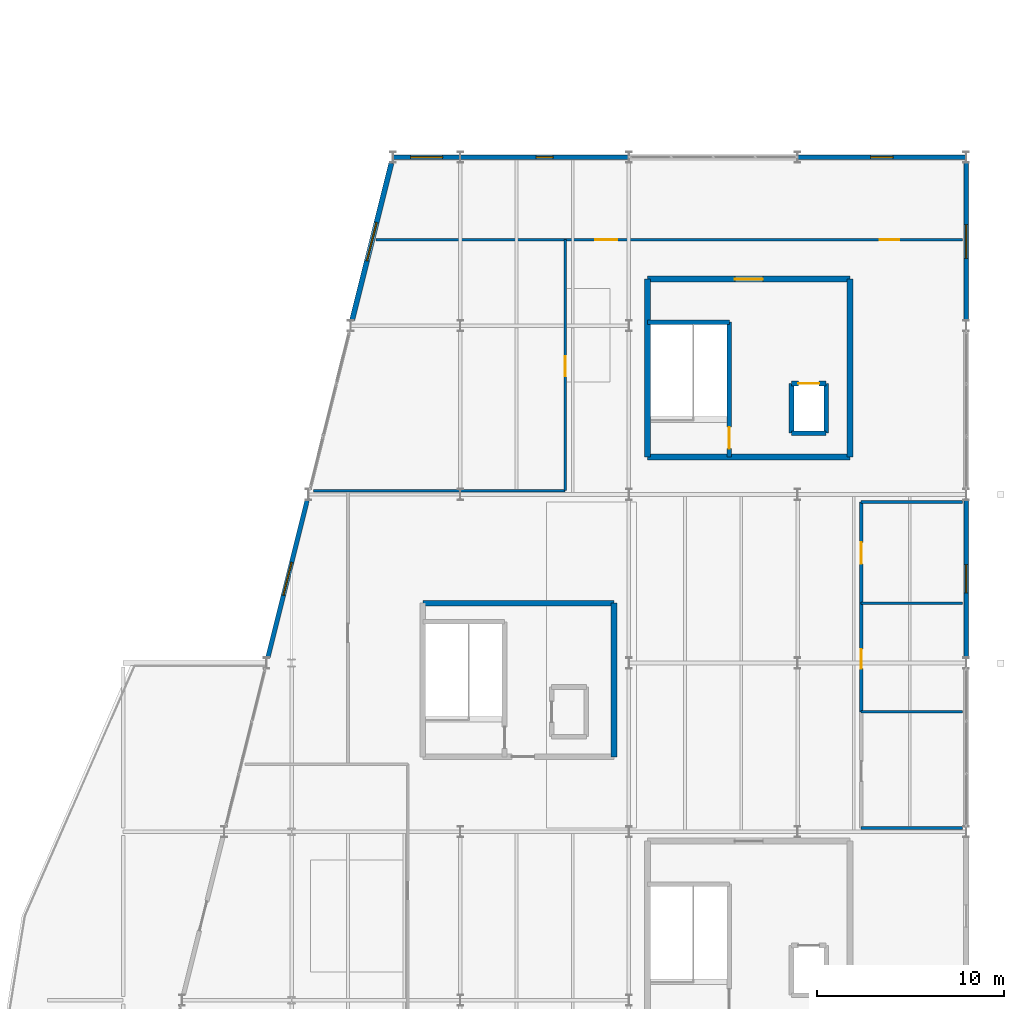
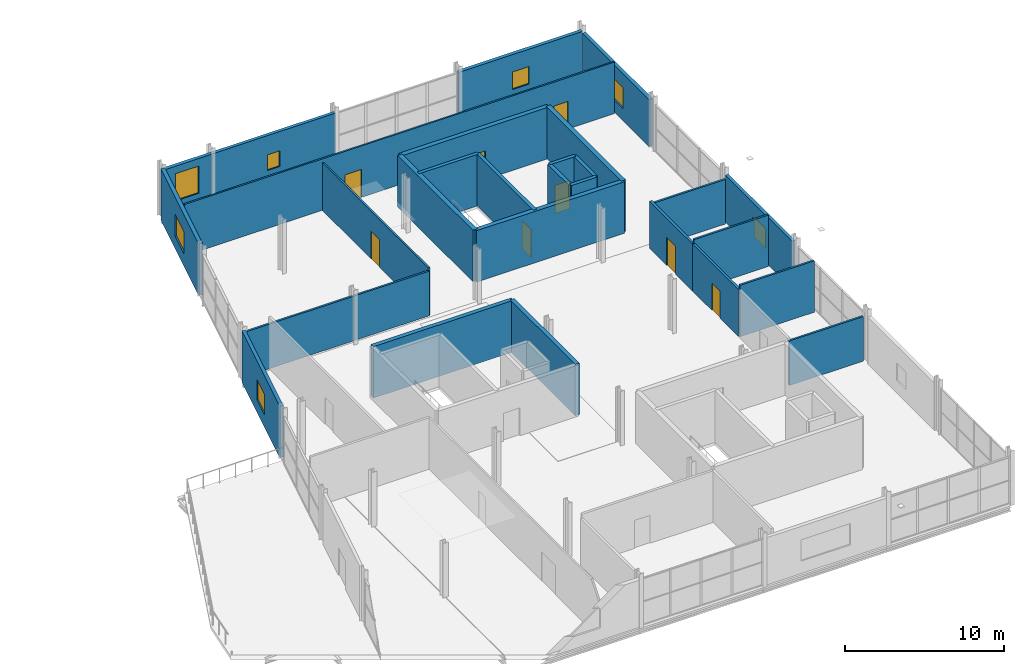
# One storey, part 42 of 44: 28 walls, 8 doors, 7 windows, 15 openings.
"""IFC4 building model written with IfcOpenShell, lengths in metres."""

from ifc_helpers import new_model, si_unit, direction, frame, frame_2d, origin, place, context, subcontext, project, spatial, rectangle, extrude, material, layer, layer_set, type_object, element, fill, save


model = new_model("IFC4")

# Units and contexts
model_context = context("Model", 3, precision=1e-05, world=origin(), true_north=direction((0.0, 1.0)))
body_context = subcontext(model_context, "Body", "Model", "MODEL_VIEW")
ifc_project = project(units=[si_unit("LENGTHUNIT", "METRE"), si_unit("AREAUNIT", "SQUARE_METRE"), si_unit("VOLUMEUNIT", "CUBIC_METRE"), si_unit("PLANEANGLEUNIT", "RADIAN"), si_unit("MASSUNIT", "GRAM", prefix="KILO")], contexts=[model_context])

# Site, building, storey
site_placement = place(None, origin())
site = spatial("IfcSite", under=ifc_project, at=site_placement, CompositionType="ELEMENT")
building_placement = place(site_placement, origin())
building = spatial("IfcBuilding", under=site, at=building_placement, Name="Deido Ridge Mobility Hub", CompositionType="ELEMENT")
storey_placement = place(building_placement, frame((0.0, 0.0, 25.199951171875)))
storey = spatial("IfcBuildingStorey", under=building, at=storey_placement, Name="L06", CompositionType="ELEMENT", Elevation=25.199951171875)

# Wall, opening, window
ifc_material_1 = material(Name="Powder-coated aluminium cladding EN AW-3003", Category="aluminium")
ifc_layer_1 = layer(ifc_material_1, 0.22509765625, Name="Powder-coated aluminium cladding EN AW-3003")
ifc_layer_set_1 = layer_set([ifc_layer_1], Name="Powder-coated aluminium cladding EN AW-3003")
wall_type_1 = type_object("IfcWallType", Name="WL-EXT-ALU-225", PredefinedType="STANDARD", material=ifc_layer_set_1)
wall_1_placement = place(storey_placement, frame((180.0, 27.300048828125, 0.0), z_axis=(0.0, 0.0, 1.0), x_axis=(0.0, 1.0, 0.0)))
wall_1 = element("IfcWall", 1, at=wall_1_placement, inside=storey, type_object=wall_type_1, Name="Exterior wall EW6", PredefinedType="STANDARD", context=body_context, shape_type="SweptSolid", body=[
    extrude(rectangle(XDim=8.39990234375, YDim=0.22509765625, at=frame_2d((4.199951171875, 0.0))), origin(), (0.0, 0.0, 1.0), 3.635009765625),
])
opening_1_placement = place(wall_1_placement, frame((3.449951171875, 0.0, 0.949951171875)))
opening_1 = element("IfcOpeningElement", 2, at=opening_1_placement, cuts=wall_1, Name="Opening W5", PredefinedType="OPENING", context=body_context, shape_type="SweptSolid", body=[
    extrude(rectangle(XDim=1.5, YDim=1.5, at=frame_2d((0.75, 0.75))), frame((0.0, 0.12255859375, 0.0), z_axis=(0.0, -1.0, 0.0), x_axis=(1.0, 0.0, 0.0)), (0.0, 0.0, 1.0), 0.2451171875),
])
ifc_material_2 = material(Name="Laminated solar-control low-E glass", Category="glass")
window_type_1 = type_object("IfcWindowType", Name="WN-ALU-1500X1500", PartitioningType="SINGLE_PANEL", PredefinedType="WINDOW", material=ifc_material_2)
window_1_placement = place(opening_1_placement, origin())
window_1 = element("IfcWindow", 3, at=window_1_placement, inside=storey, type_object=window_type_1, Name="Exterior window W5", OverallHeight=1.5, OverallWidth=1.5, PartitioningType="SINGLE_PANEL", PredefinedType="WINDOW", context=body_context, shape_type="SweptSolid", body=[
    extrude(rectangle(XDim=1.5, YDim=1.5, at=frame_2d((0.75, 0.75))), frame((0.0, 0.030029296875, 0.0), z_axis=(0.0, -1.0, 0.0), x_axis=(1.0, 0.0, 0.0)), (0.0, 0.0, 1.0), 0.06005859375),
])
fill(opening_1, window_1)

wall_2_placement = place(storey_placement, frame((153.0078125, 54.0, 0.0), z_axis=(0.0, 0.0, 1.0), x_axis=(1.0, 0.0, 0.0)))
wall_2 = element("IfcWall", 4, at=wall_2_placement, inside=storey, type_object=wall_type_1, Name="Exterior wall EW6", PredefinedType="STANDARD", context=body_context, shape_type="SweptSolid", body=[
    extrude(rectangle(XDim=8.984375, YDim=0.22509765625, at=frame_2d((4.4921875, 0.0))), origin(), (0.0, 0.0, 1.0), 3.635009765625),
])
opening_2_placement = place(wall_2_placement, frame((4.042236328125, 0.0, 0.949951171875)))
opening_2 = element("IfcOpeningElement", 5, at=opening_2_placement, cuts=wall_2, Name="Opening W1", PredefinedType="OPENING", context=body_context, shape_type="SweptSolid", body=[
    extrude(rectangle(XDim=0.89990234375, YDim=1.199951171875, at=frame_2d((0.449951171875, 0.60009765625))), frame((0.0, 0.12255859375, 0.0), z_axis=(0.0, -1.0, 0.0), x_axis=(1.0, 0.0, 0.0)), (0.0, 0.0, 1.0), 0.2451171875),
])
window_type_2 = type_object("IfcWindowType", Name="WN-ALU-900X1200", PartitioningType="SINGLE_PANEL", PredefinedType="WINDOW", material=ifc_material_2)
window_2_placement = place(opening_2_placement, origin())
window_2 = element("IfcWindow", 6, at=window_2_placement, inside=storey, type_object=window_type_2, Name="Exterior window W1", OverallHeight=1.199951171875, OverallWidth=0.89990234375, PartitioningType="SINGLE_PANEL", PredefinedType="WINDOW", context=body_context, shape_type="SweptSolid", body=[
    extrude(rectangle(XDim=0.89990234375, YDim=1.199951171875, at=frame_2d((0.449951171875, 0.60009765625))), frame((0.0, 0.030029296875, 0.0), z_axis=(0.0, -1.0, 0.0), x_axis=(1.0, 0.0, 0.0)), (0.0, 0.0, 1.0), 0.06005859375),
])
fill(opening_2, window_2)

ifc_material_3 = material(Name="Concrete blockwork masonry", Category="masonry")
ifc_layer_2 = layer(ifc_material_3, 0.2451171875, Name="Concrete blockwork masonry")
ifc_layer_set_2 = layer_set([ifc_layer_2], Name="Concrete blockwork masonry")
wall_type_2 = type_object("IfcWallType", Name="WL-EXT-BLK-245", PredefinedType="STANDARD", material=ifc_layer_set_2)
wall_3_placement = place(storey_placement, frame((149.40771484375, 54.0, 0.0), z_axis=(0.0, 0.0, 1.0), x_axis=(1.0, 0.0, 0.0)))
wall_3 = element("IfcWall", 7, at=wall_3_placement, inside=storey, type_object=wall_type_2, Name="Exterior wall EW4", PredefinedType="STANDARD", context=body_context, shape_type="SweptSolid", body=[
    extrude(rectangle(XDim=3.58447265625, YDim=0.2451171875, at=frame_2d((1.792236328125, 0.0))), origin(), (0.0, 0.0, 1.0), 3.635009765625),
])
opening_3_placement = place(wall_3_placement, frame((0.9423828125, 0.0, 0.949951171875)))
opening_3 = element("IfcOpeningElement", 8, at=opening_3_placement, cuts=wall_3, Name="Opening W22", PredefinedType="OPENING", context=body_context, shape_type="SweptSolid", body=[
    extrude(rectangle(XDim=1.699951171875, YDim=2.10009765625, at=frame_2d((0.85009765625, 1.050048828125))), frame((0.0, 0.132568359375, 0.0), z_axis=(0.0, -1.0, 0.0), x_axis=(1.0, 0.0, 0.0)), (0.0, 0.0, 1.0), 0.26513671875),
])
window_type_3 = type_object("IfcWindowType", Name="WN-ALU-1700X2100", PartitioningType="SINGLE_PANEL", PredefinedType="WINDOW", material=ifc_material_2)
window_3_placement = place(opening_3_placement, origin())
window_3 = element("IfcWindow", 9, at=window_3_placement, inside=storey, type_object=window_type_3, Name="Exterior window W22", OverallHeight=2.10009765625, OverallWidth=1.699951171875, PartitioningType="SINGLE_PANEL", PredefinedType="WINDOW", context=body_context, shape_type="SweptSolid", body=[
    extrude(rectangle(XDim=1.699951171875, YDim=2.10009765625, at=frame_2d((0.85009765625, 1.050048828125))), frame((0.0, 0.030029296875, 0.0), z_axis=(0.0, -1.0, 0.0), x_axis=(1.0, 0.0, 0.0)), (0.0, 0.0, 1.0), 0.06005859375),
])
fill(opening_3, window_3)

wall_4_placement = place(storey_placement, frame((142.7294921875, 27.317626953125, 0.0), z_axis=(0.0, 0.0, 1.0), x_axis=(0.24252230007, 0.97014583129, 0.0)))
wall_4 = element("IfcWall", 10, at=wall_4_placement, inside=storey, type_object=wall_type_2, Name="Exterior wall EW4", PredefinedType="STANDARD", context=body_context, shape_type="SweptSolid", body=[
    extrude(rectangle(XDim=8.6220703125, YDim=0.2451171875, at=frame_2d((4.31103515625, 0.0))), origin(), (0.0, 0.0, 1.0), 3.9599609375),
])
opening_4_placement = place(wall_4_placement, frame((3.4111328125, 0.0, 0.949951171875)))
opening_4 = element("IfcOpeningElement", 11, at=opening_4_placement, cuts=wall_4, Name="Opening W7", PredefinedType="OPENING", context=body_context, shape_type="SweptSolid", body=[
    extrude(rectangle(XDim=1.800048828125, YDim=1.60009765625, at=frame_2d((0.89990234375, 0.800048828125))), frame((0.0, 0.132568359375, 0.0), z_axis=(0.0, -1.0, 0.0), x_axis=(1.0, 0.0, 0.0)), (0.0, 0.0, 1.0), 0.26513671875),
])
window_type_4 = type_object("IfcWindowType", Name="WN-ALU-1800X1600", PartitioningType="DOUBLE_PANEL_VERTICAL", PredefinedType="WINDOW", material=ifc_material_2)
window_4_placement = place(opening_4_placement, origin())
window_4 = element("IfcWindow", 12, at=window_4_placement, inside=storey, type_object=window_type_4, Name="Exterior window W7", OverallHeight=1.60009765625, OverallWidth=1.800048828125, PartitioningType="SINGLE_PANEL", PredefinedType="WINDOW", context=body_context, shape_type="SweptSolid", body=[
    extrude(rectangle(XDim=1.800048828125, YDim=1.60009765625, at=frame_2d((0.89990234375, 0.800048828125))), frame((0.0, 0.030029296875, 0.0), z_axis=(0.0, -1.0, 0.0), x_axis=(1.0, 0.0, 0.0)), (0.0, 0.0, 1.0), 0.06005859375),
])
fill(opening_4, window_4)

ifc_layer_3 = layer(ifc_material_3, 0.2548828125, Name="Concrete blockwork masonry")
ifc_layer_set_3 = layer_set([ifc_layer_3], Name="Concrete blockwork masonry")
wall_type_3 = type_object("IfcWallType", Name="WL-PLG-BLK-255", PredefinedType="POLYGONAL", material=ifc_layer_set_3)
wall_5_placement = place(storey_placement, frame((180.0, 45.300048828125, 0.0), z_axis=(0.0, 0.0, 1.0), x_axis=(0.0, 1.0, 0.0)))
wall_5 = element("IfcWall", 13, at=wall_5_placement, inside=storey, type_object=wall_type_3, Name="Exterior wall PGW2", PredefinedType="POLYGONAL", context=body_context, shape_type="SweptSolid", body=[
    extrude(rectangle(XDim=8.39990234375, YDim=0.2548828125, at=frame_2d((4.199951171875, 0.0))), origin(), (0.0, 0.0, 1.0), 3.635009765625),
])
opening_5_placement = place(wall_5_placement, frame((3.300048828125, 0.0, 0.949951171875)))
opening_5 = element("IfcOpeningElement", 14, at=opening_5_placement, cuts=wall_5, Name="Opening W7", PredefinedType="OPENING", context=body_context, shape_type="SweptSolid", body=[
    extrude(rectangle(XDim=1.800048828125, YDim=1.60009765625, at=frame_2d((0.89990234375, 0.800048828125))), frame((0.0, 0.137451171875, 0.0), z_axis=(0.0, -1.0, 0.0), x_axis=(1.0, 0.0, 0.0)), (0.0, 0.0, 1.0), 0.27490234375),
])
window_5_placement = place(opening_5_placement, origin())
window_5 = element("IfcWindow", 15, at=window_5_placement, inside=storey, type_object=window_type_4, Name="Exterior window W7", OverallHeight=1.60009765625, OverallWidth=1.800048828125, PartitioningType="SINGLE_PANEL", PredefinedType="WINDOW", context=body_context, shape_type="SweptSolid", body=[
    extrude(rectangle(XDim=1.800048828125, YDim=1.60009765625, at=frame_2d((0.89990234375, 0.800048828125))), frame((0.0, 0.030029296875, 0.0), z_axis=(0.0, -1.0, 0.0), x_axis=(1.0, 0.0, 0.0)), (0.0, 0.0, 1.0), 0.06005859375),
])
fill(opening_5, window_5)

wall_6_placement = place(storey_placement, frame((171.0078125, 54.0, 0.0), z_axis=(0.0, 0.0, 1.0), x_axis=(1.0, 0.0, 0.0)))
wall_6 = element("IfcWall", 16, at=wall_6_placement, inside=storey, type_object=wall_type_3, Name="Exterior wall PGW2", PredefinedType="POLYGONAL", context=body_context, shape_type="SweptSolid", body=[
    extrude(rectangle(XDim=8.984375, YDim=0.2548828125, at=frame_2d((4.4921875, 0.0))), origin(), (0.0, 0.0, 1.0), 3.635009765625),
])
opening_6_placement = place(wall_6_placement, frame((3.892333984375, 0.0, 0.949951171875)))
opening_6 = element("IfcOpeningElement", 17, at=opening_6_placement, cuts=wall_6, Name="Opening W3", PredefinedType="OPENING", context=body_context, shape_type="SweptSolid", body=[
    extrude(rectangle(XDim=1.199951171875, YDim=1.35009765625, at=frame_2d((0.60009765625, 0.675048828125))), frame((0.0, 0.137451171875, 0.0), z_axis=(0.0, -1.0, 0.0), x_axis=(1.0, 0.0, 0.0)), (0.0, 0.0, 1.0), 0.27490234375),
])
window_type_5 = type_object("IfcWindowType", Name="WN-ALU-1200X1350", PartitioningType="SINGLE_PANEL", PredefinedType="WINDOW", material=ifc_material_2)
window_6_placement = place(opening_6_placement, origin())
window_6 = element("IfcWindow", 18, at=window_6_placement, inside=storey, type_object=window_type_5, Name="Exterior window W3", OverallHeight=1.35009765625, OverallWidth=1.199951171875, PartitioningType="SINGLE_PANEL", PredefinedType="WINDOW", context=body_context, shape_type="SweptSolid", body=[
    extrude(rectangle(XDim=1.199951171875, YDim=1.35009765625, at=frame_2d((0.60009765625, 0.675048828125))), frame((0.0, 0.030029296875, 0.0), z_axis=(0.0, -1.0, 0.0), x_axis=(1.0, 0.0, 0.0)), (0.0, 0.0, 1.0), 0.06005859375),
])
fill(opening_6, window_6)

ifc_material_4 = material(Name="Fired clay brick masonry", Category="masonry")
ifc_layer_4 = layer(ifc_material_4, 0.27490234375, Name="Fired clay brick masonry")
ifc_layer_set_4 = layer_set([ifc_layer_4], Name="Fired clay brick masonry")
wall_type_4 = type_object("IfcWallType", Name="WL-PLG-BRK-275", PredefinedType="POLYGONAL", material=ifc_layer_set_4)
wall_7_placement = place(storey_placement, frame((147.2294921875, 45.317626953125, 0.0), z_axis=(0.0, 0.0, 1.0), x_axis=(0.24252230007, 0.97014583129, 0.0)))
wall_7 = element("IfcWall", 19, at=wall_7_placement, inside=storey, type_object=wall_type_4, Name="Exterior wall PGW1", PredefinedType="POLYGONAL", context=body_context, shape_type="SweptSolid", body=[
    extrude(rectangle(XDim=8.6220703125, YDim=0.27490234375, at=frame_2d((4.31103515625, 0.0))), origin(), (0.0, 0.0, 1.0), 3.9599609375),
])
opening_7_placement = place(wall_7_placement, frame((3.260986328125, 0.0, 0.949951171875)))
opening_7 = element("IfcOpeningElement", 20, at=opening_7_placement, cuts=wall_7, Name="Opening W9", PredefinedType="OPENING", context=body_context, shape_type="SweptSolid", body=[
    extrude(rectangle(XDim=2.10009765625, YDim=1.699951171875, at=frame_2d((1.050048828125, 0.85009765625))), frame((0.0, 0.1474609375, 0.0), z_axis=(0.0, -1.0, 0.0), x_axis=(1.0, 0.0, 0.0)), (0.0, 0.0, 1.0), 0.294921875),
])
window_type_6 = type_object("IfcWindowType", Name="WN-ALU-2100X1700", PartitioningType="DOUBLE_PANEL_VERTICAL", PredefinedType="WINDOW", material=ifc_material_2)
window_7_placement = place(opening_7_placement, origin())
window_7 = element("IfcWindow", 21, at=window_7_placement, inside=storey, type_object=window_type_6, Name="Exterior window W9", OverallHeight=1.699951171875, OverallWidth=2.10009765625, PartitioningType="SINGLE_PANEL", PredefinedType="WINDOW", context=body_context, shape_type="SweptSolid", body=[
    extrude(rectangle(XDim=2.10009765625, YDim=1.699951171875, at=frame_2d((1.050048828125, 0.85009765625))), frame((0.0, 0.030029296875, 0.0), z_axis=(0.0, -1.0, 0.0), x_axis=(1.0, 0.0, 0.0)), (0.0, 0.0, 1.0), 0.06005859375),
])
fill(opening_7, window_7)

# Wall, openings, doors
ifc_layer_5 = layer(ifc_material_3, 0.1201171875, Name="Concrete blockwork masonry")
ifc_layer_set_5 = layer_set([ifc_layer_5], Name="Concrete blockwork masonry")
wall_type_5 = type_object("IfcWallType", Name="WL-PRT-BLK-120", PredefinedType="PARTITIONING", material=ifc_layer_set_5)
wall_8_placement = place(storey_placement, frame((148.5, 49.60009765625, 0.0), z_axis=(0.0, 0.0, 1.0), x_axis=(1.0, 0.0, 0.0)))
wall_8 = element("IfcWall", 22, at=wall_8_placement, inside=storey, type_object=wall_type_5, Name="V6 north hall divider (L06)", PredefinedType="PARTITIONING", context=body_context, shape_type="SweptSolid", body=[
    extrude(rectangle(XDim=31.300048828125, YDim=0.1201171875, at=frame_2d((15.64990234375, 0.0))), origin(), (0.0, 0.0, 1.0), 3.9599609375),
])
opening_8_placement = place(wall_8_placement, frame((11.699951171875, 0.0, 0.0)))
opening_8 = element("IfcOpeningElement", 23, at=opening_8_placement, cuts=wall_8, Name="Opening DR-L06-197", PredefinedType="OPENING", context=body_context, shape_type="SweptSolid", body=[
    extrude(rectangle(XDim=1.179931640625, YDim=2.14990234375, at=frame_2d((0.58984375, 1.074951171875))), frame((0.0, 0.070068359375, 0.0), z_axis=(0.0, -1.0, 0.0), x_axis=(1.0, 0.0, 0.0)), (0.0, 0.0, 1.0), 0.14013671875),
])
opening_9_placement = place(wall_8_placement, frame((26.89990234375, 0.0, 0.0)))
opening_9 = element("IfcOpeningElement", 24, at=opening_9_placement, cuts=wall_8, Name="Opening DR-L06-198", PredefinedType="OPENING", context=body_context, shape_type="SweptSolid", body=[
    extrude(rectangle(XDim=1.02001953125, YDim=2.1201171875, at=frame_2d((0.510009765625, 1.06005859375))), frame((0.0, 0.070068359375, 0.0), z_axis=(0.0, -1.0, 0.0), x_axis=(1.0, 0.0, 0.0)), (0.0, 0.0, 1.0), 0.14013671875),
])
ifc_material_5 = material(Name="Treated tropical hardwood timber D40", Category="wood")
door_type_1 = type_object("IfcDoorType", Name="DR-INT-1020X2120", OperationType="NOTDEFINED", PredefinedType="DOOR", material=ifc_material_5)
door_1_placement = place(opening_9_placement, origin())
door_1 = element("IfcDoor", 25, at=door_1_placement, inside=storey, type_object=door_type_1, Name="DR-I0198 Hub Archive east corridor door (L06)", OperationType="SINGLE_SWING_LEFT", OverallHeight=2.1201171875, OverallWidth=1.02001953125, PredefinedType="DOOR", context=body_context, shape_type="SweptSolid", body=[
    extrude(rectangle(XDim=1.02001953125, YDim=2.1201171875, at=frame_2d((0.510009765625, 1.06005859375))), frame((0.0, 0.02490234375, 0.0), z_axis=(0.0, -1.0, 0.0), x_axis=(1.0, 0.0, 0.0)), (0.0, 0.0, 1.0), 0.050048828125),
])
fill(opening_9, door_1)
door_type_2 = type_object("IfcDoorType", Name="DR-INT-1180X2150", OperationType="NOTDEFINED", PredefinedType="DOOR", material=ifc_material_5)
door_2_placement = place(opening_8_placement, origin())
door_2 = element("IfcDoor", 26, at=door_2_placement, inside=storey, type_object=door_type_2, Name="DR-I0197 V6 north hall door (L06)", OperationType="SINGLE_SWING_RIGHT", OverallHeight=2.14990234375, OverallWidth=1.179931640625, PredefinedType="DOOR", context=body_context, shape_type="SweptSolid", body=[
    extrude(rectangle(XDim=1.179931640625, YDim=2.14990234375, at=frame_2d((0.58984375, 1.074951171875))), frame((0.0, 0.02490234375, 0.0), z_axis=(0.0, -1.0, 0.0), x_axis=(1.0, 0.0, 0.0)), (0.0, 0.0, 1.0), 0.050048828125),
])
fill(opening_8, door_2)

# Wall, opening, door
ifc_layer_6 = layer(ifc_material_3, 0.1298828125, Name="Concrete blockwork masonry")
ifc_layer_set_6 = layer_set([ifc_layer_6], Name="Concrete blockwork masonry")
wall_type_6 = type_object("IfcWallType", Name="WL-PRT-BLK-130", PredefinedType="PARTITIONING", material=ifc_layer_set_6)
wall_9_placement = place(storey_placement, frame((158.60009765625, 36.199951171875, 0.0), z_axis=(0.0, 0.0, 1.0), x_axis=(0.0, 1.0, 0.0)))
wall_9 = element("IfcWall", 27, at=wall_9_placement, inside=storey, type_object=wall_type_6, Name="V6 north-west room wall (L06)", PredefinedType="PARTITIONING", context=body_context, shape_type="SweptSolid", body=[
    extrude(rectangle(XDim=13.400146484375, YDim=0.1298828125, at=frame_2d((6.7001953125, 0.0))), origin(), (0.0, 0.0, 1.0), 3.6650390625),
])
opening_10_placement = place(wall_9_placement, frame((6.10009765625, 0.0, 0.0)))
opening_10 = element("IfcOpeningElement", 28, at=opening_10_placement, cuts=wall_9, Name="Opening DR-L06-196", PredefinedType="OPENING", context=body_context, shape_type="SweptSolid", body=[
    extrude(rectangle(XDim=1.080078125, YDim=2.1201171875, at=frame_2d((0.5400390625, 1.06005859375))), frame((0.0, 0.074951171875, 0.0), z_axis=(0.0, -1.0, 0.0), x_axis=(1.0, 0.0, 0.0)), (0.0, 0.0, 1.0), 0.14990234375),
])
door_type_3 = type_object("IfcDoorType", Name="DR-INT-1080X2120", OperationType="NOTDEFINED", PredefinedType="DOOR", material=ifc_material_5)
door_3_placement = place(opening_10_placement, origin())
door_3 = element("IfcDoor", 29, at=door_3_placement, inside=storey, type_object=door_type_3, Name="DR-I0196 V6 north-west room door (L06)", OperationType="SINGLE_SWING_LEFT", OverallHeight=2.1201171875, OverallWidth=1.080078125, PredefinedType="DOOR", context=body_context, shape_type="SweptSolid", body=[
    extrude(rectangle(XDim=1.080078125, YDim=2.1201171875, at=frame_2d((0.5400390625, 1.06005859375))), frame((0.0, 0.02490234375, 0.0), z_axis=(0.0, -1.0, 0.0), x_axis=(1.0, 0.0, 0.0)), (0.0, 0.0, 1.0), 0.050048828125),
])
fill(opening_10, door_3)

# Walls
ifc_layer_7 = layer(ifc_material_3, 0.139892578125, Name="Concrete blockwork masonry")
ifc_layer_set_7 = layer_set([ifc_layer_7], Name="Concrete blockwork masonry")
wall_type_7 = type_object("IfcWallType", Name="WL-PRT-BLK-140", PredefinedType="PARTITIONING", material=ifc_layer_set_7)
wall_10_placement = place(storey_placement, frame((174.39990234375, 18.199951171875, 0.0), z_axis=(0.0, 0.0, 1.0), x_axis=(1.0, 0.0, 0.0)))
element("IfcWall", 30, at=wall_10_placement, inside=storey, type_object=wall_type_7, Name="WC cross wall (L06)", PredefinedType="PARTITIONING", context=body_context, shape_type="SweptSolid", body=[
    extrude(rectangle(XDim=5.400146484375, YDim=0.139892578125, at=frame_2d((2.7001953125, 0.0))), origin(), (0.0, 0.0, 1.0), 3.43505859375),
])
for number, where, z_axis, x_axis, name in (
    (31, (174.39990234375, 24.39990234375, 0.0), (0.0, 0.0, 1.0), (1.0, 0.0, 0.0), "WC cross wall (L06)"),
    (32, (174.39990234375, 30.199951171875, 0.0), (0.0, 0.0, 1.0), (1.0, 0.0, 0.0), "WC cross wall (L06)"),
):
    element("IfcWall", number, at=place(storey_placement, frame(where, z_axis=z_axis, x_axis=x_axis)), inside=storey, type_object=wall_type_7, Name=name, PredefinedType="PARTITIONING", context=body_context, shape_type="SweptSolid", body=[
        extrude(rectangle(XDim=5.400146484375, YDim=0.139892578125, at=frame_2d((2.7001953125, 0.0))), origin(), (0.0, 0.0, 1.0), 3.9599609375),
    ])
wall_11_placement = place(storey_placement, frame((174.39990234375, 35.60009765625, 0.0), z_axis=(0.0, 0.0, 1.0), x_axis=(1.0, 0.0, 0.0)))
element("IfcWall", 33, at=wall_11_placement, inside=storey, type_object=wall_type_7, Name="WC cross wall (L06)", PredefinedType="PARTITIONING", context=body_context, shape_type="SweptSolid", body=[
    extrude(rectangle(XDim=5.400146484375, YDim=0.139892578125, at=frame_2d((2.7001953125, 0.0))), origin(), (0.0, 0.0, 1.0), 3.43505859375),
])
wall_12_placement = place(storey_placement, frame((145.14990234375, 36.199951171875, 0.0), z_axis=(0.0, 0.0, 1.0), x_axis=(1.0, 0.0, 0.0)))
element("IfcWall", 34, at=wall_12_placement, inside=storey, type_object=wall_type_7, Name="V6 central-north cross wall (L06)", PredefinedType="PARTITIONING", context=body_context, shape_type="SweptSolid", body=[
    extrude(rectangle(XDim=13.4501953125, YDim=0.139892578125, at=frame_2d((6.72509765625, 0.0))), origin(), (0.0, 0.0, 1.0), 3.43505859375),
])

# Wall, opening, door
ifc_layer_8 = layer(ifc_material_3, 0.169921875, Name="Concrete blockwork masonry")
ifc_layer_set_8 = layer_set([ifc_layer_8], Name="Concrete blockwork masonry")
wall_type_8 = type_object("IfcWallType", Name="WL-PRT-BLK-170", PredefinedType="PARTITIONING", material=ifc_layer_set_8)
wall_13_placement = place(storey_placement, frame((174.39990234375, 24.39990234375, 0.0), z_axis=(0.0, 0.0, 1.0), x_axis=(0.0, 1.0, 0.0)))
wall_13 = element("IfcWall", 35, at=wall_13_placement, inside=storey, type_object=wall_type_8, Name="Female WC west wall (L06)", PredefinedType="PARTITIONING", context=body_context, shape_type="SweptSolid", body=[
    extrude(rectangle(XDim=5.800048828125, YDim=0.169921875, at=frame_2d((2.89990234375, 0.0))), origin(), (0.0, 0.0, 1.0), 3.635009765625),
])
opening_11_placement = place(wall_13_placement, frame((2.300048828125, 0.0, 0.0)))
opening_11 = element("IfcOpeningElement", 36, at=opening_11_placement, cuts=wall_13, Name="Opening DR-L06-191", PredefinedType="OPENING", context=body_context, shape_type="SweptSolid", body=[
    extrude(rectangle(XDim=1.050048828125, YDim=2.10009765625, at=frame_2d((0.52490234375, 1.050048828125))), frame((0.0, 0.094970703125, 0.0), z_axis=(0.0, -1.0, 0.0), x_axis=(1.0, 0.0, 0.0)), (0.0, 0.0, 1.0), 0.18994140625),
])
ifc_material_6 = material(Name="Galvanised steel work", Category="steel")
door_type_4 = type_object("IfcDoorType", Name="DR-FD60-1050X2100", OperationType="NOTDEFINED", PredefinedType="DOOR", material=ifc_material_6)
door_4_placement = place(opening_11_placement, origin())
door_4 = element("IfcDoor", 37, at=door_4_placement, inside=storey, type_object=door_type_4, Name="DR-I0191 Female WC door (L06)", OperationType="SINGLE_SWING_LEFT", OverallHeight=2.10009765625, OverallWidth=1.050048828125, PredefinedType="DOOR", context=body_context, shape_type="SweptSolid", body=[
    extrude(rectangle(XDim=1.050048828125, YDim=2.10009765625, at=frame_2d((0.52490234375, 1.050048828125))), frame((0.0, 0.02490234375, 0.0), z_axis=(0.0, -1.0, 0.0), x_axis=(1.0, 0.0, 0.0)), (0.0, 0.0, 1.0), 0.050048828125),
])
fill(opening_11, door_4)

ifc_layer_9 = layer(ifc_material_3, 0.179931640625, Name="Concrete blockwork masonry")
ifc_layer_set_9 = layer_set([ifc_layer_9], Name="Concrete blockwork masonry")
wall_type_9 = type_object("IfcWallType", Name="WL-PRT-BLK-180", PredefinedType="PARTITIONING", material=ifc_layer_set_9)
wall_14_placement = place(storey_placement, frame((174.39990234375, 30.199951171875, 0.0), z_axis=(0.0, 0.0, 1.0), x_axis=(0.0, 1.0, 0.0)))
wall_14 = element("IfcWall", 38, at=wall_14_placement, inside=storey, type_object=wall_type_9, Name="Accessible WC west wall (L06)", PredefinedType="PARTITIONING", context=body_context, shape_type="SweptSolid", body=[
    extrude(rectangle(XDim=5.400146484375, YDim=0.179931640625, at=frame_2d((2.7001953125, 0.0))), origin(), (0.0, 0.0, 1.0), 3.635009765625),
])
opening_12_placement = place(wall_14_placement, frame((2.10009765625, 0.0, 0.0)))
opening_12 = element("IfcOpeningElement", 39, at=opening_12_placement, cuts=wall_14, Name="Opening DR-L06-192", PredefinedType="OPENING", context=body_context, shape_type="SweptSolid", body=[
    extrude(rectangle(XDim=1.14990234375, YDim=2.14990234375, at=frame_2d((0.574951171875, 1.074951171875))), frame((0.0, 0.10009765625, 0.0), z_axis=(0.0, -1.0, 0.0), x_axis=(1.0, 0.0, 0.0)), (0.0, 0.0, 1.0), 0.199951171875),
])
door_type_5 = type_object("IfcDoorType", Name="DR-FD60-1150X2150", OperationType="NOTDEFINED", PredefinedType="DOOR", material=ifc_material_6)
door_5_placement = place(opening_12_placement, origin())
door_5 = element("IfcDoor", 40, at=door_5_placement, inside=storey, type_object=door_type_5, Name="DR-I0192 Accessible WC door (L06)", OperationType="SINGLE_SWING_RIGHT", OverallHeight=2.14990234375, OverallWidth=1.14990234375, PredefinedType="DOOR", context=body_context, shape_type="SweptSolid", body=[
    extrude(rectangle(XDim=1.14990234375, YDim=2.14990234375, at=frame_2d((0.574951171875, 1.074951171875))), frame((0.0, 0.02490234375, 0.0), z_axis=(0.0, -1.0, 0.0), x_axis=(1.0, 0.0, 0.0)), (0.0, 0.0, 1.0), 0.050048828125),
])
fill(opening_12, door_5)

ifc_material_7 = material(Name="Concrete C40/50", Category="concrete")
ifc_layer_10 = layer(ifc_material_7, 0.25, Name="Concrete C40/50")
ifc_layer_set_10 = layer_set([ifc_layer_10], Name="Concrete C40/50")
wall_type_10 = type_object("IfcWallType", Name="WL-SHR-RC-250", PredefinedType="SHEAR", material=ifc_layer_set_10)
wall_15_placement = place(storey_placement, frame((167.360107421875, 38.0, 0.0), z_axis=(0.0, 0.0, 1.0), x_axis=(0.0, 1.0, 0.0)))
wall_15 = element("IfcWall", 41, at=wall_15_placement, inside=storey, type_object=wall_type_10, Name="C2 stair shaft east wall", PredefinedType="SHEAR", context=body_context, shape_type="SweptSolid", body=[
    extrude(rectangle(XDim=7.199951171875, YDim=0.25, at=frame_2d((3.60009765625, 0.0))), origin(), (0.0, 0.0, 1.0), 3.9599609375),
])
opening_13_placement = place(wall_15_placement, frame((0.449951171875, 0.0, 0.0)))
opening_13 = element("IfcOpeningElement", 42, at=opening_13_placement, cuts=wall_15, Name="Opening FD-C2-L06", PredefinedType="OPENING", context=body_context, shape_type="SweptSolid", body=[
    extrude(rectangle(XDim=1.14990234375, YDim=2.14990234375, at=frame_2d((0.574951171875, 1.074951171875))), frame((0.0, 0.135009765625, 0.0), z_axis=(0.0, -1.0, 0.0), x_axis=(1.0, 0.0, 0.0)), (0.0, 0.0, 1.0), 0.27001953125),
])
door_6_placement = place(opening_13_placement, origin())
door_6 = element("IfcDoor", 43, at=door_6_placement, inside=storey, type_object=door_type_5, Name="DR-I0046 C2 protected stair door (L06)", OperationType="SINGLE_SWING_RIGHT", OverallHeight=2.14990234375, OverallWidth=1.14990234375, PredefinedType="DOOR", context=body_context, shape_type="SweptSolid", body=[
    extrude(rectangle(XDim=1.14990234375, YDim=2.14990234375, at=frame_2d((0.574951171875, 1.074951171875))), frame((0.0, 0.02490234375, 0.0), z_axis=(0.0, -1.0, 0.0), x_axis=(1.0, 0.0, 0.0)), (0.0, 0.0, 1.0), 0.050048828125),
])
fill(opening_13, door_6)

# Walls
wall_16_placement = place(storey_placement, frame((163.0, 45.199951171875, 0.0), z_axis=(0.0, 0.0, 1.0), x_axis=(1.0, 0.0, 0.0)))
element("IfcWall", 44, at=wall_16_placement, inside=storey, type_object=wall_type_10, Name="C2 stair shaft north wall", PredefinedType="SHEAR", context=body_context, shape_type="SweptSolid", body=[
    extrude(rectangle(XDim=4.360107421875, YDim=0.25, at=frame_2d((2.18017578125, 0.0))), origin(), (0.0, 0.0, 1.0), 3.9599609375),
])
wall_17_placement = place(storey_placement, frame((170.675048828125, 39.27490234375, 0.0), z_axis=(0.0, 0.0, 1.0), x_axis=(1.0, 0.0, 0.0)))
element("IfcWall", 45, at=wall_17_placement, inside=storey, type_object=wall_type_10, Name="Lift FL2 rear shaft wall", PredefinedType="SHEAR", context=body_context, shape_type="SweptSolid", body=[
    extrude(rectangle(XDim=1.849853515625, YDim=0.25, at=frame_2d((0.9248046875, 0.0))), origin(), (0.0, 0.0, 1.0), 3.9599609375),
])
for number, where, z_axis, x_axis, name in (
    (46, (170.675048828125, 39.27490234375, 0.0), (0.0, 0.0, 1.0), (0.0, 1.0, 0.0), "Lift FL2 west shaft wall"),
    (47, (172.52490234375, 39.27490234375, 0.0), (0.0, 0.0, 1.0), (0.0, 1.0, 0.0), "Lift FL2 east shaft wall"),
):
    element("IfcWall", number, at=place(storey_placement, frame(where, z_axis=z_axis, x_axis=x_axis)), inside=storey, type_object=wall_type_10, Name=name, PredefinedType="SHEAR", context=body_context, shape_type="SweptSolid", body=[
        extrude(rectangle(XDim=2.650146484375, YDim=0.25, at=frame_2d((1.3251953125, 0.0))), origin(), (0.0, 0.0, 1.0), 3.9599609375),
    ])

# Wall, opening, door
wall_18_placement = place(storey_placement, frame((170.675048828125, 41.925048828125, 0.0), z_axis=(0.0, 0.0, 1.0), x_axis=(1.0, 0.0, 0.0)))
wall_18 = element("IfcWall", 48, at=wall_18_placement, inside=storey, type_object=wall_type_10, Name="Lift FL2 landing wall", PredefinedType="SHEAR", context=body_context, shape_type="SweptSolid", body=[
    extrude(rectangle(XDim=1.849853515625, YDim=0.25, at=frame_2d((0.9248046875, 0.0))), origin(), (0.0, 0.0, 1.0), 3.9599609375),
])
opening_14_placement = place(wall_18_placement, frame((0.375, 0.0, 0.0)))
opening_14 = element("IfcOpeningElement", 49, at=opening_14_placement, cuts=wall_18, Name="Opening LD-FL2", PredefinedType="OPENING", context=body_context, shape_type="SweptSolid", body=[
    extrude(rectangle(XDim=1.10009765625, YDim=2.14990234375, at=frame_2d((0.550048828125, 1.074951171875))), frame((0.0, 0.135009765625, 0.0), z_axis=(0.0, -1.0, 0.0), x_axis=(1.0, 0.0, 0.0)), (0.0, 0.0, 1.0), 0.27001953125),
])
ifc_material_8 = material(Name="Stainless steel 316", Category="steel")
door_type_6 = type_object("IfcDoorType", Name="DR-LND-PAS-1100X2150", OperationType="DOUBLE_DOOR_SLIDING", PredefinedType="USERDEFINED", material=ifc_material_8)
door_7_placement = place(opening_14_placement, origin())
door_7 = element("IfcDoor", 50, at=door_7_placement, inside=storey, type_object=door_type_6, Name="DR-I0048 Lift FL2 sliding landing door (L06)", ObjectType="LANDING DOOR", OperationType="DOUBLE_DOOR_SLIDING", OverallHeight=2.14990234375, OverallWidth=1.10009765625, PredefinedType="USERDEFINED", context=body_context, shape_type="SweptSolid", body=[
    extrude(rectangle(XDim=1.10009765625, YDim=2.14990234375, at=frame_2d((0.550048828125, 1.074951171875))), frame((0.0, 0.02490234375, 0.0), z_axis=(0.0, -1.0, 0.0), x_axis=(1.0, 0.0, 0.0)), (0.0, 0.0, 1.0), 0.050048828125),
])
fill(opening_14, door_7)

# Walls
ifc_layer_11 = layer(ifc_material_7, 0.300048828125, Name="Concrete C40/50")
ifc_layer_set_11 = layer_set([ifc_layer_11], Name="Concrete C40/50")
wall_type_11 = type_object("IfcWallType", Name="WL-SHR-RC-300", PredefinedType="SHEAR", material=ifc_layer_set_11)
wall_19_placement = place(storey_placement, frame((161.199951171875, 22.0, 0.0), z_axis=(0.0, 0.0, 1.0), x_axis=(0.0, 1.0, 0.0)))
element("IfcWall", 51, at=wall_19_placement, inside=storey, type_object=wall_type_11, Name="C3 east shear wall", PredefinedType="SHEAR", context=body_context, shape_type="SweptSolid", body=[
    extrude(rectangle(XDim=8.199951171875, YDim=0.300048828125, at=frame_2d((4.10009765625, 0.0))), origin(), (0.0, 0.0, 1.0), 3.9599609375),
])
wall_20_placement = place(storey_placement, frame((161.199951171875, 30.199951171875, 0.0), z_axis=(0.0, 0.0, 1.0), x_axis=(-1.0, 0.0, 0.0)))
element("IfcWall", 52, at=wall_20_placement, inside=storey, type_object=wall_type_11, Name="C3 north shear wall", PredefinedType="SHEAR", context=body_context, shape_type="SweptSolid", body=[
    extrude(rectangle(XDim=10.199951171875, YDim=0.300048828125, at=frame_2d((5.10009765625, 0.0))), origin(), (0.0, 0.0, 1.0), 3.9599609375),
])
ifc_layer_12 = layer(ifc_material_7, 0.324951171875, Name="Concrete C40/50")
ifc_layer_set_12 = layer_set([ifc_layer_12], Name="Concrete C40/50")
wall_type_12 = type_object("IfcWallType", Name="WL-SHR-RC-325", PredefinedType="SHEAR", material=ifc_layer_set_12)
wall_21_placement = place(storey_placement, frame((163.0, 38.0, 0.0), z_axis=(0.0, 0.0, 1.0), x_axis=(1.0, 0.0, 0.0)))
element("IfcWall", 53, at=wall_21_placement, inside=storey, type_object=wall_type_12, Name="C2 south shear wall", PredefinedType="SHEAR", context=body_context, shape_type="SweptSolid", body=[
    extrude(rectangle(XDim=10.800048828125, YDim=0.324951171875, at=frame_2d((5.39990234375, 0.0))), origin(), (0.0, 0.0, 1.0), 3.9599609375),
])
wall_22_placement = place(storey_placement, frame((173.800048828125, 38.0, 0.0), z_axis=(0.0, 0.0, 1.0), x_axis=(0.0, 1.0, 0.0)))
element("IfcWall", 54, at=wall_22_placement, inside=storey, type_object=wall_type_12, Name="C2 east shear wall", PredefinedType="SHEAR", context=body_context, shape_type="SweptSolid", body=[
    extrude(rectangle(XDim=9.5, YDim=0.324951171875, at=frame_2d((4.75, 0.0))), origin(), (0.0, 0.0, 1.0), 3.9599609375),
])

# Wall, opening, door
wall_23_placement = place(storey_placement, frame((173.800048828125, 47.5, 0.0), z_axis=(0.0, 0.0, 1.0), x_axis=(-1.0, 0.0, 0.0)))
wall_23 = element("IfcWall", 55, at=wall_23_placement, inside=storey, type_object=wall_type_12, Name="C2 north shear wall", PredefinedType="SHEAR", context=body_context, shape_type="SweptSolid", body=[
    extrude(rectangle(XDim=10.800048828125, YDim=0.324951171875, at=frame_2d((5.39990234375, 0.0))), origin(), (0.0, 0.0, 1.0), 3.9599609375),
])
opening_15_placement = place(wall_23_placement, frame((4.64990234375, 0.0, 0.0)))
opening_15 = element("IfcOpeningElement", 56, at=opening_15_placement, cuts=wall_23, Name="Opening LD-C2-047", PredefinedType="OPENING", context=body_context, shape_type="SweptSolid", body=[
    extrude(rectangle(XDim=1.5, YDim=2.199951171875, at=frame_2d((0.75, 1.10009765625))), frame((0.0, 0.17236328125, 0.0), z_axis=(0.0, -1.0, 0.0), x_axis=(1.0, 0.0, 0.0)), (0.0, 0.0, 1.0), 0.344970703125),
])
door_type_7 = type_object("IfcDoorType", Name="DR-FD60-1500X2200", OperationType="DOUBLE_DOOR_SINGLE_SWING", PredefinedType="DOOR", material=ifc_material_6)
door_8_placement = place(opening_15_placement, origin())
door_8 = element("IfcDoor", 57, at=door_8_placement, inside=storey, type_object=door_type_7, Name="DR-I0047 C2 firefighting lobby door (L06)", OperationType="DOUBLE_DOOR_SINGLE_SWING", OverallHeight=2.199951171875, OverallWidth=1.5, PredefinedType="DOOR", context=body_context, shape_type="SweptSolid", body=[
    extrude(rectangle(XDim=1.5, YDim=2.199951171875, at=frame_2d((0.75, 1.10009765625))), frame((0.0, 0.02490234375, 0.0), z_axis=(0.0, -1.0, 0.0), x_axis=(1.0, 0.0, 0.0)), (0.0, 0.0, 1.0), 0.050048828125),
])
fill(opening_15, door_8)

# Wall
wall_24_placement = place(storey_placement, frame((163.0, 47.5, 0.0), z_axis=(0.0, 0.0, 1.0), x_axis=(0.0, -1.0, 0.0)))
element("IfcWall", 58, at=wall_24_placement, inside=storey, type_object=wall_type_12, Name="C2 west shear wall", PredefinedType="SHEAR", context=body_context, shape_type="SweptSolid", body=[
    extrude(rectangle(XDim=9.5, YDim=0.324951171875, at=frame_2d((4.75, 0.0))), origin(), (0.0, 0.0, 1.0), 3.9599609375),
])

save(model, "model.ifc")
